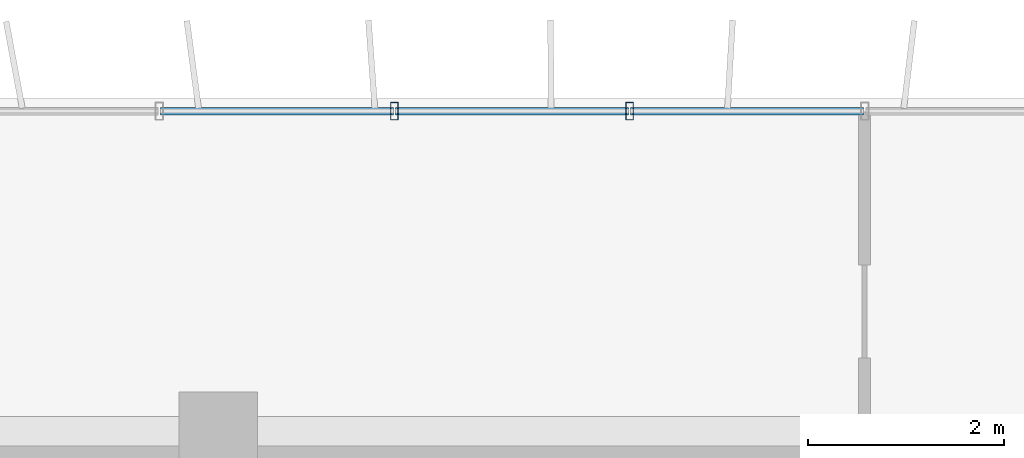
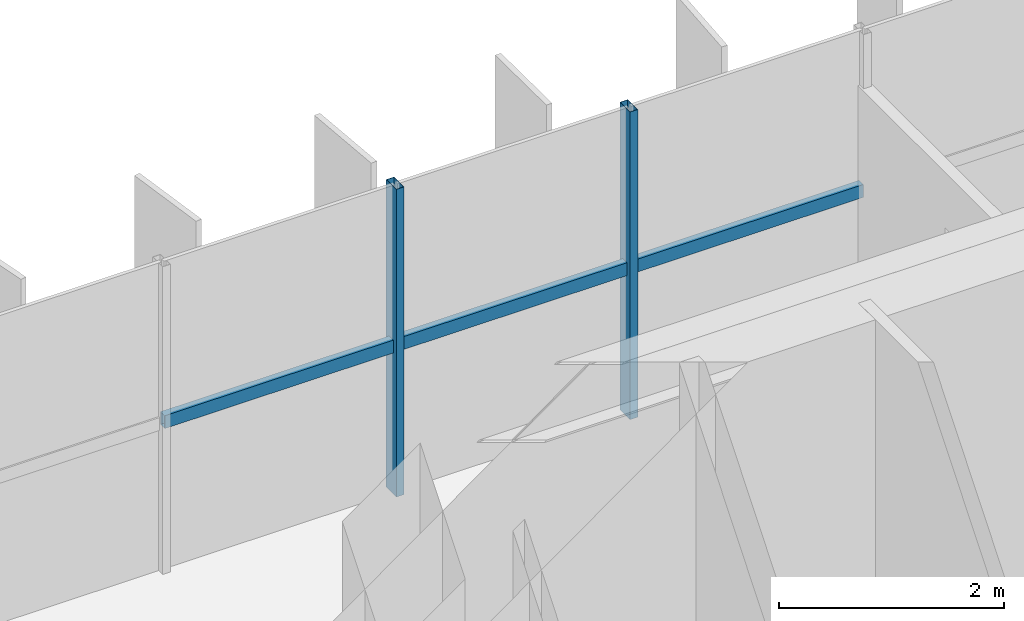
# One storey, part 7 of 22: 5 members, 1 element without a shape of its own.
"""IFC4 building model written with IfcOpenShell, lengths in metres."""

from ifc_helpers import new_model, si_unit, direction, frame, origin, origin_2d, place, context, subcontext, project, spatial, hollow_rectangle, extrude, source, transform, mapped, material, material_profile, profile_set, type_object, element, aggregate, save


model = new_model("IFC4")

# Units and contexts
model_context = context("Model", 3, precision=1e-05, world=origin(), true_north=direction((0.0, 1.0)))
body_context = subcontext(model_context, "Body", "Model", "MODEL_VIEW")
ifc_project = project(units=[si_unit("LENGTHUNIT", "METRE"), si_unit("AREAUNIT", "SQUARE_METRE"), si_unit("VOLUMEUNIT", "CUBIC_METRE"), si_unit("PLANEANGLEUNIT", "RADIAN"), si_unit("MASSUNIT", "GRAM", prefix="KILO")], contexts=[model_context])

# Site, building, storey
site_placement = place(None, origin())
site = spatial("IfcSite", under=ifc_project, at=site_placement, CompositionType="ELEMENT")
building_placement = place(site_placement, origin())
building = spatial("IfcBuilding", under=site, at=building_placement, Name="Trelvane Seafront Commons", CompositionType="ELEMENT")
storey_placement = place(building_placement, frame((0.0, 0.0, 85.300048828125)))
storey = spatial("IfcBuildingStorey", under=building, at=storey_placement, Name="L21", CompositionType="ELEMENT", Elevation=85.300048828125)

# Curtain wall, members
ifc_material = material(Name="Anodised pale-silver aluminium", Category="aluminium")
curtain_wall_type = type_object("IfcCurtainWallType", Name="ARCH-CW4-SKYLOBBY", PredefinedType="NOTDEFINED", material=ifc_material)
curtain_wall_placement = place(storey_placement, origin())
curtain_wall = element("IfcCurtainWall", 1, at=curtain_wall_placement, inside=storey, type_object=curtain_wall_type, Name="CW-L21-0046", PredefinedType="NOTDEFINED")
ifc_material_profile_1 = material_profile(ifc_material, hollow_rectangle(XDim=0.074951171875, YDim=0.139892578125, WallThickness=0.00390625, at=origin_2d()), Name="TRAN-75x140x4")
ifc_profile_set_1 = profile_set([ifc_material_profile_1], Name="Anodised pale-silver aluminium")
member_type_1 = type_object("IfcMemberType", Name="ARCH-CW-TRAN-140", PredefinedType="USERDEFINED", material=ifc_profile_set_1)
shared_shape_1 = source(origin(), body_context, "Body", "SweptSolid", [
    extrude(hollow_rectangle(XDim=0.074951171875, YDim=0.139892578125, WallThickness=0.00390625, at=origin_2d()), origin(), (0.0, 0.0, 1.0), 2.3759765625),
])
member_1_placement = place(storey_placement, frame((30.011962890625, 48.3701171875, 1.60302734375), z_axis=(1.0, 0.0, 0.0), x_axis=(0.0, 1.0, 0.0)))
member_1 = element("IfcMember", 2, at=member_1_placement, type_object=member_type_1, Name="CW-L21-0046-T06", ObjectType="TRANSOM", PredefinedType="USERDEFINED", context=body_context, shape_type="MappedRepresentation", body=[
    mapped(shared_shape_1, transform((0.0, 0.0, 0.0), x_axis=(1.0, 0.0, 0.0), y_axis=(0.0, 1.0, 0.0), z_axis=(0.0, 0.0, 1.0), scale=1.0)),
])
member_2_placement = place(storey_placement, frame((32.412109375, 48.3701171875, 1.60302734375), z_axis=(1.0, 0.0, 0.0), x_axis=(0.0, 1.0, 0.0)))
member_2 = element("IfcMember", 3, at=member_2_placement, type_object=member_type_1, Name="CW-L21-0046-T07", ObjectType="TRANSOM", PredefinedType="USERDEFINED", context=body_context, shape_type="MappedRepresentation", body=[
    mapped(shared_shape_1, transform((0.0, 0.0, 0.0), x_axis=(1.0, 0.0, 0.0), y_axis=(0.0, 1.0, 0.0), z_axis=(0.0, 0.0, 1.0), scale=1.0)),
])
member_3_placement = place(storey_placement, frame((34.81201171875, 48.3701171875, 1.60302734375), z_axis=(1.0, 0.0, 0.0), x_axis=(0.0, 1.0, 0.0)))
member_3 = element("IfcMember", 4, at=member_3_placement, type_object=member_type_1, Name="CW-L21-0046-T08", ObjectType="TRANSOM", PredefinedType="USERDEFINED", context=body_context, shape_type="MappedRepresentation", body=[
    mapped(shared_shape_1, transform((0.0, 0.0, 0.0), x_axis=(1.0, 0.0, 0.0), y_axis=(0.0, 1.0, 0.0), z_axis=(0.0, 0.0, 1.0), scale=1.0)),
])
ifc_material_profile_2 = material_profile(ifc_material, hollow_rectangle(XDim=0.080078125, YDim=0.179931640625, WallThickness=0.00439453125, at=origin_2d()), Name="MULL-80x180x4.5")
ifc_profile_set_2 = profile_set([ifc_material_profile_2], Name="Anodised pale-silver aluminium")
member_type_2 = type_object("IfcMemberType", Name="ARCH-CW-MULL-180", PredefinedType="MULLION", material=ifc_profile_set_2)
shared_shape_2 = source(origin(), body_context, "Body", "SweptSolid", [
    extrude(hollow_rectangle(XDim=0.080078125, YDim=0.179931640625, WallThickness=0.00439453125, at=origin_2d()), origin(), (0.0, 0.0, 1.0), 3.33984375),
])
member_4_placement = place(storey_placement, frame((32.39990234375, 48.3701171875, 0.0), z_axis=(0.0, 0.0, 1.0), x_axis=(1.0, 0.0, 0.0)))
member_4 = element("IfcMember", 5, at=member_4_placement, type_object=member_type_2, Name="CW-L21-0046-M07", PredefinedType="MULLION", context=body_context, shape_type="MappedRepresentation", body=[
    mapped(shared_shape_2, transform((0.0, 0.0, 0.0), x_axis=(1.0, 0.0, 0.0), y_axis=(0.0, 1.0, 0.0), z_axis=(0.0, 0.0, 1.0), scale=1.0)),
])
member_5_placement = place(storey_placement, frame((34.800048828125, 48.3701171875, 0.0), z_axis=(0.0, 0.0, 1.0), x_axis=(1.0, 0.0, 0.0)))
member_5 = element("IfcMember", 6, at=member_5_placement, type_object=member_type_2, Name="CW-L21-0046-M08", PredefinedType="MULLION", context=body_context, shape_type="MappedRepresentation", body=[
    mapped(shared_shape_2, transform((0.0, 0.0, 0.0), x_axis=(1.0, 0.0, 0.0), y_axis=(0.0, 1.0, 0.0), z_axis=(0.0, 0.0, 1.0), scale=1.0)),
])
aggregate(curtain_wall, [member_4, member_5, member_1, member_2, member_3])

save(model, "model.ifc")
